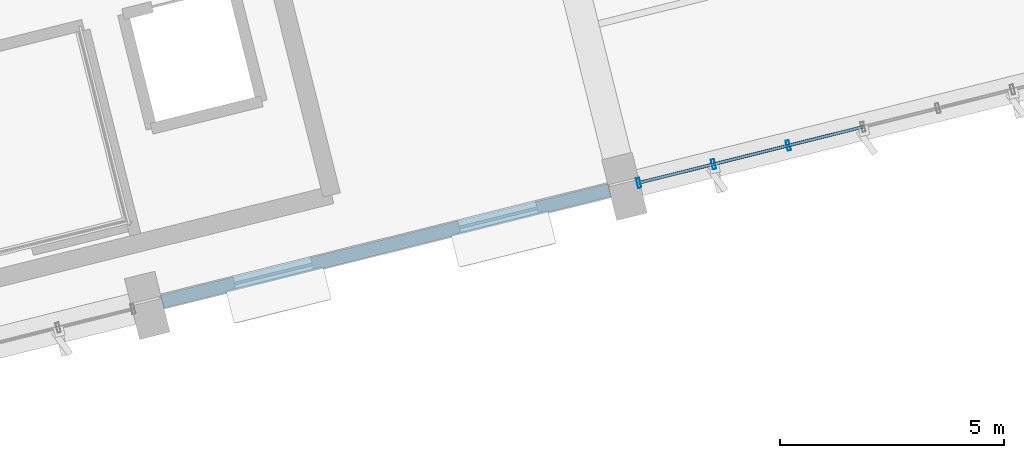
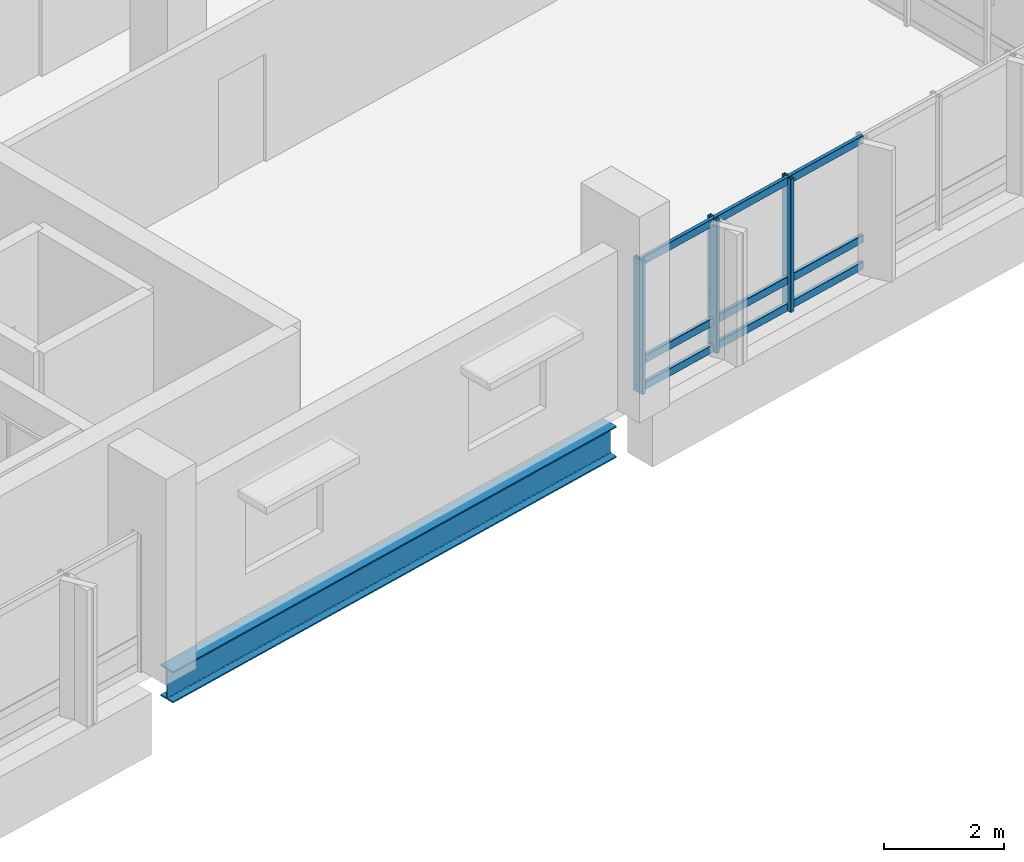
# One storey, part 8 of 42: 12 members, 1 beam, 1 element without a shape of its own.
"""IFC4 building model written with IfcOpenShell, lengths in metres."""

from ifc_helpers import new_model, si_unit, direction, frame, origin, origin_2d, place, context, subcontext, project, spatial, hollow_rectangle, i_section, extrude, material, layer, layer_set, material_profile, profile_set, type_object, element, aggregate, save


model = new_model("IFC4")

# Units and contexts
model_context = context("Model", 3, precision=1e-05, world=origin(), true_north=direction((0.0, 1.0)))
body_context = subcontext(model_context, "Body", "Model", "MODEL_VIEW")
ifc_project = project(units=[si_unit("LENGTHUNIT", "METRE"), si_unit("AREAUNIT", "SQUARE_METRE"), si_unit("VOLUMEUNIT", "CUBIC_METRE"), si_unit("PLANEANGLEUNIT", "RADIAN"), si_unit("MASSUNIT", "GRAM", prefix="KILO")], contexts=[model_context])

# Site, building, storey
site_placement = place(None, origin())
site = spatial("IfcSite", under=ifc_project, at=site_placement, CompositionType="ELEMENT")
building_placement = place(site_placement, origin())
building = spatial("IfcBuilding", under=site, at=building_placement, Name="Khorjan Park Terminus", CompositionType="ELEMENT")
storey_placement = place(building_placement, frame((0.0, 0.0, 20.4)))
storey = spatial("IfcBuildingStorey", under=building, at=storey_placement, Name="L04", CompositionType="ELEMENT", Elevation=20.4)

# Beam
ifc_material_1 = material(Name="Steel S355", Category="steel")
ifc_material_profile_1 = material_profile(ifc_material_1, i_section(OverallWidth=0.3, OverallDepth=0.64, WebThickness=0.0135, FlangeThickness=0.026, FilletRadius=0.027, at=origin_2d()), Name="HEA 650")
ifc_profile_set_1 = profile_set([ifc_material_profile_1], Name="Steel S355")
beam_type = type_object("IfcBeamType", Name="BM-HEA650", PredefinedType="BEAM", material=ifc_profile_set_1)
beam_placement = place(storey_placement, frame((209.0278, 12.728, -0.66), z_axis=(0.970295784153, 0.241921663468, 0.0), x_axis=(-0.241921663468, 0.970295784153, 0.0)))
element("IfcBeam", 1, at=beam_placement, inside=storey, type_object=beam_type, Name="Primary skew-grid floor girder SB-A65 (L04)", PredefinedType="BEAM", context=body_context, shape_type="SweptSolid", body=[
    extrude(i_section(OverallWidth=0.3, OverallDepth=0.64, WebThickness=0.0135, FlangeThickness=0.026, FilletRadius=0.027, at=origin_2d()), origin(), (0.0, 0.0, 1.0), 10.3099),
])

# Curtain wall, members
ifc_material_2 = material(Name="Anodized Bronze Aluminium", Category="aluminium")
ifc_layer = layer(ifc_material_2, 0.22)
ifc_layer_set = layer_set([ifc_layer], Name="Anodized Bronze Aluminium")
curtain_wall_type = type_object("IfcCurtainWallType", Name="CW-OPS-B", PredefinedType="NOTDEFINED", material=ifc_layer_set)
curtain_wall_placement = place(storey_placement, origin())
curtain_wall = element("IfcCurtainWall", 2, at=curtain_wall_placement, inside=storey, type_object=curtain_wall_type, Name="Unitized curtain wall CW-B (CW-V5-S-L04-B05)", PredefinedType="NOTDEFINED")
ifc_material_profile_2 = material_profile(ifc_material_2, hollow_rectangle(XDim=0.075, YDim=0.225, WallThickness=0.005, InnerFilletRadius=0.005, OuterFilletRadius=0.01, at=origin_2d()), Name="ALM 75x225x5")
ifc_profile_set_2 = profile_set([ifc_material_profile_2], Name="Anodized Bronze Aluminium")
member_type_1 = type_object("IfcMemberType", Name="ML-ALM-225", PredefinedType="MULLION", material=ifc_profile_set_2)
member_1_placement = place(storey_placement, frame((219.6863, 15.3855, -0.035), z_axis=(0.0, 0.0, 1.0), x_axis=(0.970296464407, 0.241918935098, 0.0)))
member_1 = element("IfcMember", 3, at=member_1_placement, type_object=member_type_1, Name="Curtain-wall mullion ML-22 (CW-V5-S-L04-B05-0)", PredefinedType="MULLION", context=body_context, shape_type="SweptSolid", body=[
    extrude(hollow_rectangle(XDim=0.075, YDim=0.225, WallThickness=0.005, InnerFilletRadius=0.005, OuterFilletRadius=0.01, at=origin_2d()), origin(), (0.0, 0.0, 1.0), 2.72),
])
member_2_placement = place(storey_placement, frame((221.3585, 15.8024, -0.035), z_axis=(0.0, 0.0, 1.0), x_axis=(0.970296464407, 0.241918935098, 0.0)))
member_2 = element("IfcMember", 4, at=member_2_placement, type_object=member_type_1, Name="Curtain-wall mullion ML-22 (CW-V5-S-L04-B05-1)", PredefinedType="MULLION", context=body_context, shape_type="SweptSolid", body=[
    extrude(hollow_rectangle(XDim=0.075, YDim=0.225, WallThickness=0.005, InnerFilletRadius=0.005, OuterFilletRadius=0.01, at=origin_2d()), origin(), (0.0, 0.0, 1.0), 2.72),
])
member_3_placement = place(storey_placement, frame((223.0308, 16.2194, -0.035), z_axis=(0.0, 0.0, 1.0), x_axis=(0.970296464407, 0.241918935098, 0.0)))
member_3 = element("IfcMember", 5, at=member_3_placement, type_object=member_type_1, Name="Curtain-wall mullion ML-22 (CW-V5-S-L04-B05-2)", PredefinedType="MULLION", context=body_context, shape_type="SweptSolid", body=[
    extrude(hollow_rectangle(XDim=0.075, YDim=0.225, WallThickness=0.005, InnerFilletRadius=0.005, OuterFilletRadius=0.01, at=origin_2d()), origin(), (0.0, 0.0, 1.0), 2.72),
])
ifc_material_profile_3 = material_profile(ifc_material_2, hollow_rectangle(XDim=0.07, YDim=0.16, WallThickness=0.004, InnerFilletRadius=0.004, OuterFilletRadius=0.008, at=origin_2d()), Name="ALT 70x160x4")
ifc_profile_set_3 = profile_set([ifc_material_profile_3], Name="Anodized Bronze Aluminium")
member_type_2 = type_object("IfcMemberType", Name="TR-ALT-160", PredefinedType="USERDEFINED", material=ifc_profile_set_3)
member_4_placement = place(storey_placement, frame((219.6863, 15.3855, 0.04), z_axis=(0.970299306534, 0.241907535518, 0.0), x_axis=(-0.241907535518, 0.970299306534, 0.0)))
member_4 = element("IfcMember", 6, at=member_4_placement, type_object=member_type_2, Name="Curtain-wall transom TR-16 (CW-V5-S-L04-B05-0-1)", ObjectType="TRANSOM", PredefinedType="USERDEFINED", context=body_context, shape_type="SweptSolid", body=[
    extrude(hollow_rectangle(XDim=0.07, YDim=0.16, WallThickness=0.004, InnerFilletRadius=0.004, OuterFilletRadius=0.008, at=origin_2d()), origin(), (0.0, 0.0, 1.0), 1.7234),
])
member_5_placement = place(storey_placement, frame((219.6863, 15.3855, 0.583), z_axis=(0.970299306534, 0.241907535518, 0.0), x_axis=(-0.241907535518, 0.970299306534, 0.0)))
member_5 = element("IfcMember", 7, at=member_5_placement, type_object=member_type_2, Name="Curtain-wall transom TR-16 (CW-V5-S-L04-B05-0-2)", ObjectType="TRANSOM", PredefinedType="USERDEFINED", context=body_context, shape_type="SweptSolid", body=[
    extrude(hollow_rectangle(XDim=0.07, YDim=0.16, WallThickness=0.004, InnerFilletRadius=0.004, OuterFilletRadius=0.008, at=origin_2d()), origin(), (0.0, 0.0, 1.0), 1.7234),
])
member_6_placement = place(storey_placement, frame((219.6863, 15.3855, 2.61), z_axis=(0.970299306534, 0.241907535518, 0.0), x_axis=(-0.241907535518, 0.970299306534, 0.0)))
member_6 = element("IfcMember", 8, at=member_6_placement, type_object=member_type_2, Name="Curtain-wall transom TR-16 (CW-V5-S-L04-B05-0-3)", ObjectType="TRANSOM", PredefinedType="USERDEFINED", context=body_context, shape_type="SweptSolid", body=[
    extrude(hollow_rectangle(XDim=0.07, YDim=0.16, WallThickness=0.004, InnerFilletRadius=0.004, OuterFilletRadius=0.008, at=origin_2d()), origin(), (0.0, 0.0, 1.0), 1.7234),
])
member_7_placement = place(storey_placement, frame((221.3585, 15.8024, 0.04), z_axis=(0.970289082125, 0.241948542275, 0.0), x_axis=(-0.241948542275, 0.970289082125, 0.0)))
member_7 = element("IfcMember", 9, at=member_7_placement, type_object=member_type_2, Name="Curtain-wall transom TR-16 (CW-V5-S-L04-B05-1-1)", ObjectType="TRANSOM", PredefinedType="USERDEFINED", context=body_context, shape_type="SweptSolid", body=[
    extrude(hollow_rectangle(XDim=0.07, YDim=0.16, WallThickness=0.004, InnerFilletRadius=0.004, OuterFilletRadius=0.008, at=origin_2d()), origin(), (0.0, 0.0, 1.0), 1.7235),
])
member_8_placement = place(storey_placement, frame((221.3585, 15.8024, 0.583), z_axis=(0.970289082125, 0.241948542275, 0.0), x_axis=(-0.241948542275, 0.970289082125, 0.0)))
member_8 = element("IfcMember", 10, at=member_8_placement, type_object=member_type_2, Name="Curtain-wall transom TR-16 (CW-V5-S-L04-B05-1-2)", ObjectType="TRANSOM", PredefinedType="USERDEFINED", context=body_context, shape_type="SweptSolid", body=[
    extrude(hollow_rectangle(XDim=0.07, YDim=0.16, WallThickness=0.004, InnerFilletRadius=0.004, OuterFilletRadius=0.008, at=origin_2d()), origin(), (0.0, 0.0, 1.0), 1.7235),
])
member_9_placement = place(storey_placement, frame((221.3585, 15.8024, 2.61), z_axis=(0.970289082125, 0.241948542275, 0.0), x_axis=(-0.241948542275, 0.970289082125, 0.0)))
member_9 = element("IfcMember", 11, at=member_9_placement, type_object=member_type_2, Name="Curtain-wall transom TR-16 (CW-V5-S-L04-B05-1-3)", ObjectType="TRANSOM", PredefinedType="USERDEFINED", context=body_context, shape_type="SweptSolid", body=[
    extrude(hollow_rectangle(XDim=0.07, YDim=0.16, WallThickness=0.004, InnerFilletRadius=0.004, OuterFilletRadius=0.008, at=origin_2d()), origin(), (0.0, 0.0, 1.0), 1.7235),
])
member_10_placement = place(storey_placement, frame((223.0308, 16.2194, 0.04), z_axis=(0.970299306534, 0.241907535518, 0.0), x_axis=(-0.241907535518, 0.970299306534, 0.0)))
member_10 = element("IfcMember", 12, at=member_10_placement, type_object=member_type_2, Name="Curtain-wall transom TR-16 (CW-V5-S-L04-B05-2-1)", ObjectType="TRANSOM", PredefinedType="USERDEFINED", context=body_context, shape_type="SweptSolid", body=[
    extrude(hollow_rectangle(XDim=0.07, YDim=0.16, WallThickness=0.004, InnerFilletRadius=0.004, OuterFilletRadius=0.008, at=origin_2d()), origin(), (0.0, 0.0, 1.0), 1.7234),
])
member_11_placement = place(storey_placement, frame((223.0308, 16.2194, 0.583), z_axis=(0.970299306534, 0.241907535518, 0.0), x_axis=(-0.241907535518, 0.970299306534, 0.0)))
member_11 = element("IfcMember", 13, at=member_11_placement, type_object=member_type_2, Name="Curtain-wall transom TR-16 (CW-V5-S-L04-B05-2-2)", ObjectType="TRANSOM", PredefinedType="USERDEFINED", context=body_context, shape_type="SweptSolid", body=[
    extrude(hollow_rectangle(XDim=0.07, YDim=0.16, WallThickness=0.004, InnerFilletRadius=0.004, OuterFilletRadius=0.008, at=origin_2d()), origin(), (0.0, 0.0, 1.0), 1.7234),
])
member_12_placement = place(storey_placement, frame((223.0308, 16.2194, 2.61), z_axis=(0.970299306534, 0.241907535518, 0.0), x_axis=(-0.241907535518, 0.970299306534, 0.0)))
member_12 = element("IfcMember", 14, at=member_12_placement, type_object=member_type_2, Name="Curtain-wall transom TR-16 (CW-V5-S-L04-B05-2-3)", ObjectType="TRANSOM", PredefinedType="USERDEFINED", context=body_context, shape_type="SweptSolid", body=[
    extrude(hollow_rectangle(XDim=0.07, YDim=0.16, WallThickness=0.004, InnerFilletRadius=0.004, OuterFilletRadius=0.008, at=origin_2d()), origin(), (0.0, 0.0, 1.0), 1.7234),
])
aggregate(curtain_wall, [member_1, member_2, member_3, member_4, member_5, member_6, member_7, member_8, member_9, member_10, member_11, member_12])

save(model, "model.ifc")
